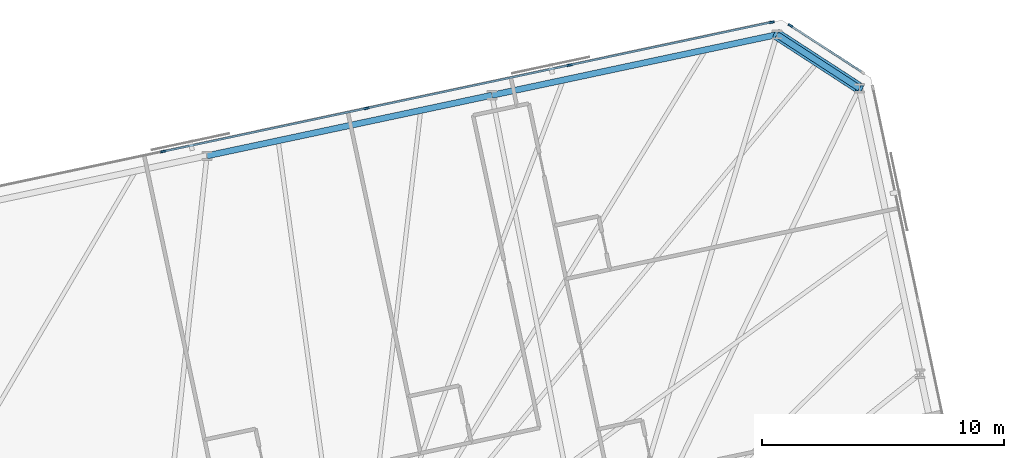
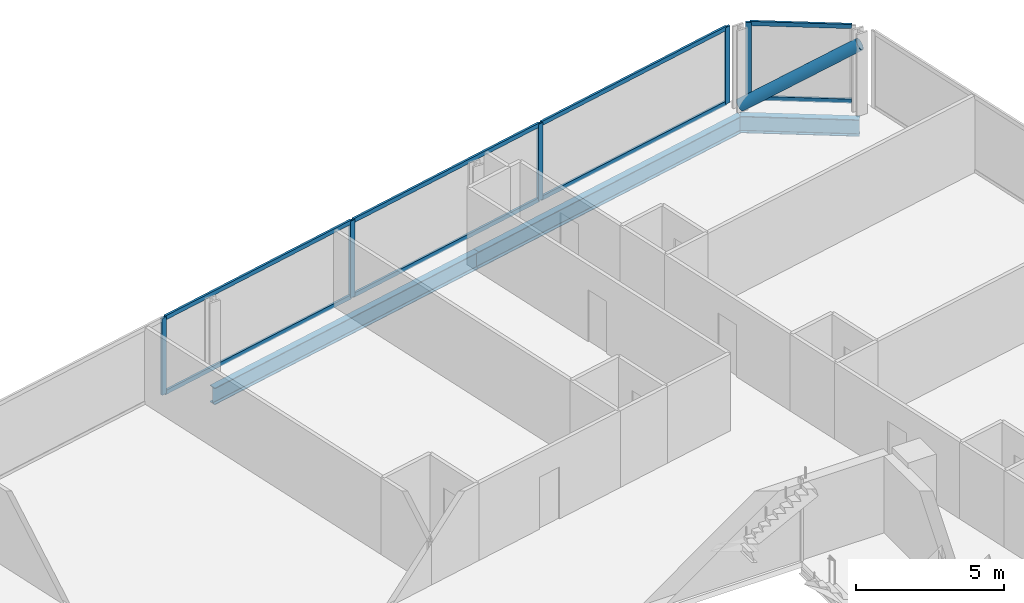
# One storey, part 11 of 19: 14 members, 3 beams, 2 elements without a shape of their own.
"""IFC4 building model written with IfcOpenShell, lengths in metres."""

from ifc_helpers import new_model, si_unit, direction, frame, origin, origin_2d, place, context, subcontext, project, spatial, rectangle, hollow_circle, i_section, extrude, material, material_profile, profile_set, type_object, element, aggregate, save


model = new_model("IFC4")

# Units and contexts
model_context = context("Model", 3, precision=1e-05, world=origin(), true_north=direction((0.0, 1.0)))
body_context = subcontext(model_context, "Body", "Model", "MODEL_VIEW")
ifc_project = project(units=[si_unit("LENGTHUNIT", "METRE"), si_unit("AREAUNIT", "SQUARE_METRE"), si_unit("VOLUMEUNIT", "CUBIC_METRE"), si_unit("PLANEANGLEUNIT", "RADIAN"), si_unit("MASSUNIT", "GRAM", prefix="KILO")], contexts=[model_context])

# Site, building, storey
site_placement = place(None, origin())
site = spatial("IfcSite", under=ifc_project, at=site_placement, CompositionType="ELEMENT")
building_placement = place(site_placement, origin())
building = spatial("IfcBuilding", under=site, at=building_placement, Name="Menara Jurai Vektor", CompositionType="ELEMENT")
storey_placement = place(building_placement, frame((0.0, 0.0, 195.60009765625)))
storey = spatial("IfcBuildingStorey", under=building, at=storey_placement, Name="L51", CompositionType="ELEMENT", Elevation=195.60009765625)

# Curtain wall, member
ifc_material_1 = material(Name="Anodised Pale Aluminium & Low-E Double Glazing", Category="aluminium")
curtain_wall_type = type_object("IfcCurtainWallType", Name="CW-BLK3", PredefinedType="NOTDEFINED", material=ifc_material_1)
curtain_wall_1_placement = place(storey_placement, origin())
curtain_wall_1 = element("IfcCurtainWall", 1, at=curtain_wall_1_placement, inside=storey, type_object=curtain_wall_type, Name="Unitised Curtain Wall L51 F04", PredefinedType="NOTDEFINED")
ifc_material_2 = material(Name="Anodised Pale Aluminium Mullion", Category="aluminium")
ifc_material_profile_1 = material_profile(ifc_material_2, rectangle(XDim=0.0849609375, YDim=0.205078125, at=origin_2d()), Name="ALU MUL 85x205")
ifc_profile_set_1 = profile_set([ifc_material_profile_1], Name="Anodised Pale Aluminium Mullion")
member_type_1 = type_object("IfcMemberType", Name="CW-BLK3-MUL", PredefinedType="MULLION", material=ifc_profile_set_1)
member_1_placement = place(storey_placement, frame((23.219970703125, 29.920654296875, 0.0), z_axis=(0.0, 0.0, 1.0), x_axis=(-0.544617794346, -0.838684361415, 0.0)))
member_1 = element("IfcMember", 2, at=member_1_placement, type_object=member_type_1, Name="CW-03 mullion 2", PredefinedType="MULLION", context=body_context, shape_type="SweptSolid", body=[
    extrude(rectangle(XDim=0.0849609375, YDim=0.205078125, at=origin_2d()), origin(), (0.0, 0.0, 1.0), 3.1748046875),
])

# Curtain wall, members
curtain_wall_2_placement = place(storey_placement, origin())
curtain_wall_2 = element("IfcCurtainWall", 3, at=curtain_wall_2_placement, inside=storey, type_object=curtain_wall_type, Name="Unitised Curtain Wall L51 F05", PredefinedType="NOTDEFINED")
member_2_placement = place(storey_placement, frame((22.452392578125, 30.062744140625, 0.0), z_axis=(0.0, 0.0, 1.0), x_axis=(0.207911344156, -0.978147674419, 0.0)))
member_2 = element("IfcMember", 4, at=member_2_placement, type_object=member_type_1, Name="CW-03 mullion 1", PredefinedType="MULLION", context=body_context, shape_type="SweptSolid", body=[
    extrude(rectangle(XDim=0.0849609375, YDim=0.205078125, at=origin_2d()), origin(), (0.0, 0.0, 1.0), 3.1748046875),
])
member_3_placement = place(storey_placement, frame((14.104248046875, 28.288330078125, 0.0), z_axis=(0.0, 0.0, 1.0), x_axis=(0.207911344156, -0.978147674419, 0.0)))
member_3 = element("IfcMember", 5, at=member_3_placement, type_object=member_type_1, Name="CW-03 mullion 2", PredefinedType="MULLION", context=body_context, shape_type="SweptSolid", body=[
    extrude(rectangle(XDim=0.0849609375, YDim=0.205078125, at=origin_2d()), origin(), (0.0, 0.0, 1.0), 3.1748046875),
])
member_4_placement = place(storey_placement, frame((5.71435546875, 26.505126953125, 0.0), z_axis=(0.0, 0.0, 1.0), x_axis=(0.207911344156, -0.978147674419, 0.0)))
member_4 = element("IfcMember", 6, at=member_4_placement, type_object=member_type_1, Name="CW-03 mullion 3", PredefinedType="MULLION", context=body_context, shape_type="SweptSolid", body=[
    extrude(rectangle(XDim=0.0849609375, YDim=0.205078125, at=origin_2d()), origin(), (0.0, 0.0, 1.0), 3.1748046875),
])
member_5_placement = place(storey_placement, frame((-2.67529296875, 24.721923828125, 0.0), z_axis=(0.0, 0.0, 1.0), x_axis=(0.207911344156, -0.978147674419, 0.0)))
member_5 = element("IfcMember", 7, at=member_5_placement, type_object=member_type_1, Name="CW-03 mullion 4", PredefinedType="MULLION", context=body_context, shape_type="SweptSolid", body=[
    extrude(rectangle(XDim=0.0849609375, YDim=0.205078125, at=origin_2d()), origin(), (0.0, 0.0, 1.0), 3.1748046875),
])

# Member
ifc_material_3 = material(Name="Anodised Pale Aluminium Transom", Category="aluminium")
ifc_material_profile_2 = material_profile(ifc_material_3, rectangle(XDim=0.0849609375, YDim=0.175048828125, at=origin_2d()), Name="ALU TRN 85x175")
ifc_profile_set_2 = profile_set([ifc_material_profile_2], Name="Anodised Pale Aluminium Transom")
member_type_2 = type_object("IfcMemberType", Name="CW-BLK3-TRN", PredefinedType="USERDEFINED", material=ifc_profile_set_2)
member_6_placement = place(storey_placement, frame((26.15234375, 28.016357421875, 0.04248046875), z_axis=(-0.83867770631, 0.54462804274, 0.0), x_axis=(-0.54462804274, -0.83867770631, 0.0)))
member_6 = element("IfcMember", 8, at=member_6_placement, type_object=member_type_2, Name="CW-03 transom 1.1", ObjectType="TRANSOM", PredefinedType="USERDEFINED", context=body_context, shape_type="SweptSolid", body=[
    extrude(rectangle(XDim=0.0849609375, YDim=0.175048828125, at=origin_2d()), origin(), (0.0, 0.0, 1.0), 3.453857421875),
])

member_7_placement = place(storey_placement, frame((26.15234375, 28.016357421875, 3.13232421875), z_axis=(-0.83867770631, 0.54462804274, 0.0), x_axis=(-0.54462804274, -0.83867770631, 0.0)))
member_7 = element("IfcMember", 9, at=member_7_placement, type_object=member_type_2, Name="CW-03 transom 1.2", ObjectType="TRANSOM", PredefinedType="USERDEFINED", context=body_context, shape_type="SweptSolid", body=[
    extrude(rectangle(XDim=0.0849609375, YDim=0.175048828125, at=origin_2d()), origin(), (0.0, 0.0, 1.0), 3.453857421875),
])

aggregate(curtain_wall_1, [member_1, member_6, member_7])

member_8_placement = place(storey_placement, frame((22.41064453125, 30.053955078125, 0.04248046875), z_axis=(-0.978151580361, -0.207892967261, 0.0), x_axis=(0.207892967261, -0.978151580361, 0.0)))
member_8 = element("IfcMember", 10, at=member_8_placement, type_object=member_type_2, Name="CW-03 transom 1.1", ObjectType="TRANSOM", PredefinedType="USERDEFINED", context=body_context, shape_type="SweptSolid", body=[
    extrude(rectangle(XDim=0.0849609375, YDim=0.175048828125, at=origin_2d()), origin(), (0.0, 0.0, 1.0), 8.449462890625),
])

member_9_placement = place(storey_placement, frame((22.41064453125, 30.053955078125, 3.13232421875), z_axis=(-0.978151580361, -0.207892967261, 0.0), x_axis=(0.207892967261, -0.978151580361, 0.0)))
member_9 = element("IfcMember", 11, at=member_9_placement, type_object=member_type_2, Name="CW-03 transom 1.2", ObjectType="TRANSOM", PredefinedType="USERDEFINED", context=body_context, shape_type="SweptSolid", body=[
    extrude(rectangle(XDim=0.0849609375, YDim=0.175048828125, at=origin_2d()), origin(), (0.0, 0.0, 1.0), 8.449462890625),
])

member_10_placement = place(storey_placement, frame((14.0625, 28.279541015625, 0.04248046875), z_axis=(-0.978146500933, -0.207916864907, 0.0), x_axis=(0.207916864907, -0.978146500933, 0.0)))
member_10 = element("IfcMember", 12, at=member_10_placement, type_object=member_type_2, Name="CW-03 transom 2.1", ObjectType="TRANSOM", PredefinedType="USERDEFINED", context=body_context, shape_type="SweptSolid", body=[
    extrude(rectangle(XDim=0.0849609375, YDim=0.175048828125, at=origin_2d()), origin(), (0.0, 0.0, 1.0), 8.491943359375),
])

member_11_placement = place(storey_placement, frame((14.0625, 28.279541015625, 3.13232421875), z_axis=(-0.978146500933, -0.207916864907, 0.0), x_axis=(0.207916864907, -0.978146500933, 0.0)))
member_11 = element("IfcMember", 13, at=member_11_placement, type_object=member_type_2, Name="CW-03 transom 2.2", ObjectType="TRANSOM", PredefinedType="USERDEFINED", context=body_context, shape_type="SweptSolid", body=[
    extrude(rectangle(XDim=0.0849609375, YDim=0.175048828125, at=origin_2d()), origin(), (0.0, 0.0, 1.0), 8.491943359375),
])

member_12_placement = place(storey_placement, frame((5.6728515625, 26.496337890625, 0.04248046875), z_axis=(-0.978147743708, -0.207911018178, 0.0), x_axis=(0.207911018178, -0.978147743708, 0.0)))
member_12 = element("IfcMember", 14, at=member_12_placement, type_object=member_type_2, Name="CW-03 transom 3.1", ObjectType="TRANSOM", PredefinedType="USERDEFINED", context=body_context, shape_type="SweptSolid", body=[
    extrude(rectangle(XDim=0.0849609375, YDim=0.175048828125, at=origin_2d()), origin(), (0.0, 0.0, 1.0), 8.4921875),
])

member_13_placement = place(storey_placement, frame((5.6728515625, 26.496337890625, 3.13232421875), z_axis=(-0.978147743708, -0.207911018178, 0.0), x_axis=(0.207911018178, -0.978147743708, 0.0)))
member_13 = element("IfcMember", 15, at=member_13_placement, type_object=member_type_2, Name="CW-03 transom 3.2", ObjectType="TRANSOM", PredefinedType="USERDEFINED", context=body_context, shape_type="SweptSolid", body=[
    extrude(rectangle(XDim=0.0849609375, YDim=0.175048828125, at=origin_2d()), origin(), (0.0, 0.0, 1.0), 8.4921875),
])

aggregate(curtain_wall_2, [member_2, member_3, member_4, member_5, member_8, member_9, member_10, member_11, member_12, member_13])

ifc_material_4 = material(Name="Steel S460", Category="steel")
ifc_material_profile_3 = material_profile(ifc_material_4, hollow_circle(Radius=0.228515625, WallThickness=0.01611328125, at=origin_2d()), Name="CHS 457x16")
ifc_profile_set_3 = profile_set([ifc_material_profile_3], Name="Steel S460")
member_type_3 = type_object("IfcMemberType", Name="STR-BR-457", PredefinedType="BRACE", material=ifc_profile_set_3)
member_14_placement = place(storey_placement, frame((22.664794921875, 29.545654296875, 0.14990234375), z_axis=(0.700418818423, -0.454848055166, 0.550024295382), x_axis=(0.544631249681, 0.838675623749, 0.0)))
element("IfcMember", 16, at=member_14_placement, inside=storey, type_object=member_type_3, Name="Exoskeleton Corner Brace L51-2", PredefinedType="BRACE", context=body_context, shape_type="SweptSolid", body=[
    extrude(hollow_circle(Radius=0.228515625, WallThickness=0.01611328125, at=origin_2d()), origin(), (0.0, 0.0, 1.0), 4.863525390625),
])

# Beams
ifc_material_profile_4 = material_profile(ifc_material_4, i_section(OverallWidth=0.256103515625, OverallDepth=0.693115234375, WebThickness=0.013916015625, FlangeThickness=0.02392578125, FilletRadius=0.014892578125, at=origin_2d()), Name="UKB 686x254x170")
ifc_profile_set_4 = profile_set([ifc_material_profile_4], Name="Steel S460")
beam_type = type_object("IfcBeamType", Name="STR-SP-686", PredefinedType="SPANDREL", material=ifc_profile_set_4)
beam_1_placement = place(storey_placement, frame((26.0712890625, 27.33349609375, -0.571533203125), z_axis=(-0.838675623749, 0.544631249681, 0.0), x_axis=(-0.544631249681, -0.838675623749, 0.0)))
element("IfcBeam", 17, at=beam_1_placement, inside=storey, type_object=beam_type, Name="Exoskeleton Spandrel Beam L51-10", PredefinedType="SPANDREL", context=body_context, shape_type="SweptSolid", body=[
    extrude(i_section(OverallWidth=0.256103515625, OverallDepth=0.693115234375, WebThickness=0.013916015625, FlangeThickness=0.02392578125, FilletRadius=0.014892578125, at=origin_2d()), origin(), (0.0, 0.0, 1.0), 4.061767578125),
])
beam_2_placement = place(storey_placement, frame((22.664794921875, 29.545654296875, -0.571533203125), z_axis=(-0.978147039247, -0.207914332389, 0.0), x_axis=(0.207914332389, -0.978147039247, 0.0)))
element("IfcBeam", 18, at=beam_2_placement, inside=storey, type_object=beam_type, Name="Exoskeleton Spandrel Beam L51-11", PredefinedType="SPANDREL", context=body_context, shape_type="SweptSolid", body=[
    extrude(i_section(OverallWidth=0.256103515625, OverallDepth=0.693115234375, WebThickness=0.013916015625, FlangeThickness=0.02392578125, FilletRadius=0.014892578125, at=origin_2d()), origin(), (0.0, 0.0, 1.0), 12.03125),
])
beam_3_placement = place(storey_placement, frame((10.896484375, 27.044189453125, -0.571533203125), z_axis=(-0.978150288855, -0.207899043801, 0.0), x_axis=(0.207899043801, -0.978150288855, 0.0)))
element("IfcBeam", 19, at=beam_3_placement, inside=storey, type_object=beam_type, Name="Exoskeleton Spandrel Beam L51-12", PredefinedType="SPANDREL", context=body_context, shape_type="SweptSolid", body=[
    extrude(i_section(OverallWidth=0.256103515625, OverallDepth=0.693115234375, WebThickness=0.013916015625, FlangeThickness=0.02392578125, FilletRadius=0.014892578125, at=origin_2d()), origin(), (0.0, 0.0, 1.0), 12.031005859375),
])

save(model, "model.ifc")
